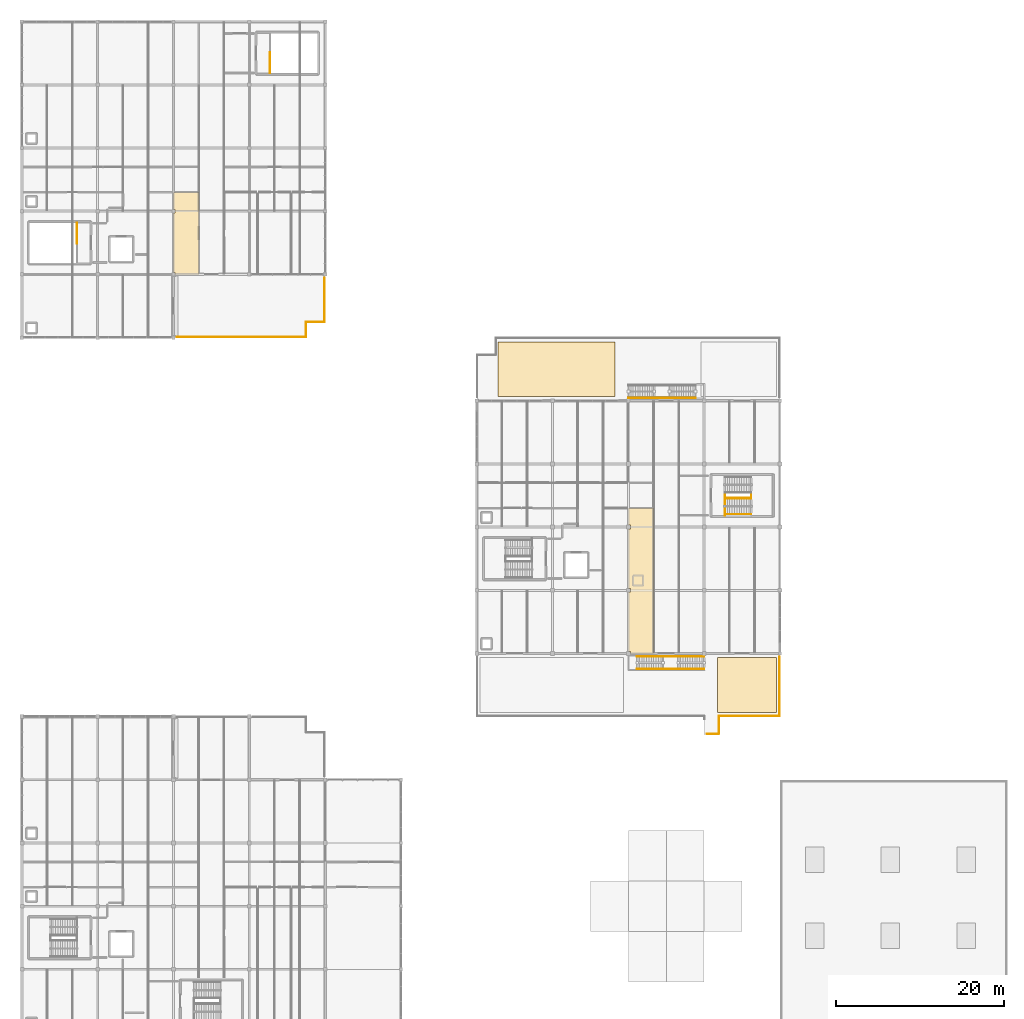
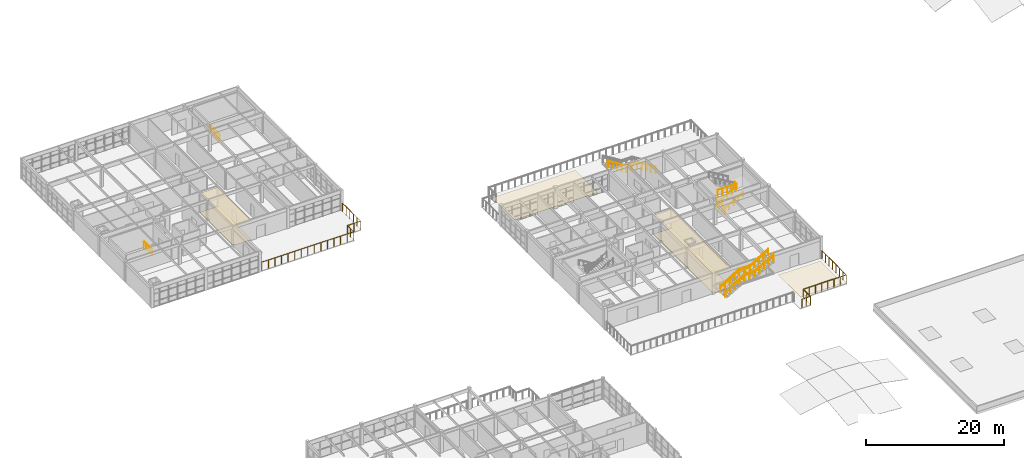
# One storey, part 44 of 45: 13 railings, 6 coverings.
"""IFC4 building model written with IfcOpenShell, lengths in metres."""

from ifc_helpers import new_model, si_unit, direction, frame, origin, origin_2d, place, context, subcontext, project, spatial, polyline, circle, outline, extrude, material, layer, layer_set, type_object, element, save


model = new_model("IFC4")

# Units and contexts
model_context = context("Model", 3, precision=1e-05, world=origin(), true_north=direction((0.0, 1.0)))
body_context = subcontext(model_context, "Body", "Model", "MODEL_VIEW")
ifc_project = project(units=[si_unit("LENGTHUNIT", "METRE"), si_unit("AREAUNIT", "SQUARE_METRE"), si_unit("VOLUMEUNIT", "CUBIC_METRE"), si_unit("PLANEANGLEUNIT", "RADIAN"), si_unit("MASSUNIT", "GRAM", prefix="KILO")], contexts=[model_context])

# Site, building, storey
site_placement = place(None, origin())
site = spatial("IfcSite", under=ifc_project, at=site_placement, CompositionType="ELEMENT")
building_placement = place(site_placement, origin())
building = spatial("IfcBuilding", under=site, at=building_placement, Name="Marnridge Secondary College", CompositionType="ELEMENT")
storey_placement = place(building_placement, frame((0.0, 0.0, 12.300048828125)))
storey = spatial("IfcBuildingStorey", under=building, at=storey_placement, Name="L03", CompositionType="ELEMENT", Elevation=12.300048828125)

# Coverings
ifc_material_1 = material(Name="Perforated acoustic mineral-fibre ceiling tile", Category="gypsum")
ifc_layer_1 = layer(ifc_material_1, 0.02490234375)
ifc_layer_set_1 = layer_set([ifc_layer_1], Name="CV-CEIL-AC")
covering_type_1 = type_object("IfcCoveringType", Name="CV-CEIL-AC", PredefinedType="CEILING", material=ifc_layer_set_1)
covering_1_placement = place(storey_placement, frame((0.0, 0.0, 3.300048828125)))
element("IfcCovering", 1, at=covering_1_placement, inside=storey, type_object=covering_type_1, Name="Acoustic ceiling CVC-004", PredefinedType="CEILING", context=body_context, shape_type="SweptSolid", body=[
    extrude(outline(polyline([(72.001953125, 45.22509765625), (72.001953125, 52.27490234375), (72.22509765625, 52.27490234375), (72.22509765625, 52.72509765625), (72.001953125, 52.72509765625), (72.001953125, 59.77490234375), (72.22509765625, 59.77490234375), (72.22509765625, 60.22509765625), (72.001953125, 60.22509765625), (72.001953125, 62.248046875), (74.998046875, 62.248046875), (74.998046875, 45.001953125), (72.22509765625, 45.001953125), (72.22509765625, 45.22509765625), (72.001953125, 45.22509765625)])), origin(), (0.0, 0.0, 1.0), 0.02490234375),
])
covering_2_placement = place(storey_placement, frame((0.0, 0.0, 3.35986328125)))
element("IfcCovering", 2, at=covering_2_placement, inside=storey, type_object=covering_type_1, Name="Acoustic ceiling CVC-005", PredefinedType="CEILING", context=body_context, shape_type="SweptSolid", body=[
    extrude(outline(polyline([(18.199951171875, 90.199951171875), (18.001953125, 90.199951171875), (18.001953125, 97.300048828125), (18.199951171875, 97.300048828125), (18.199951171875, 97.699951171875), (18.001953125, 97.699951171875), (18.001953125, 99.748046875), (20.998046875, 99.748046875), (20.998046875, 90.001953125), (18.199951171875, 90.001953125), (18.199951171875, 90.199951171875)])), origin(), (0.0, 0.0, 1.0), 0.025146484375),
])
ifc_material_2 = material(Name="Charred jarrah acoustic soffit cladding", Category="wood")
ifc_layer_2 = layer(ifc_material_2, 0.034912109375)
ifc_layer_set_2 = layer_set([ifc_layer_2], Name="CV-CLAD-TIM")
covering_type_2 = type_object("IfcCoveringType", Name="CV-CLAD-TIM", PredefinedType="CLADDING", material=ifc_layer_set_2)
covering_3_placement = place(storey_placement, frame((0.0, 0.0, -0.195068359375)))
element("IfcCovering", 3, at=covering_3_placement, inside=storey, type_object=covering_type_2, Name="Timber soffit cladding CVL-02", PredefinedType="CLADDING", context=body_context, shape_type="SweptSolid", body=[
    extrude(outline(polyline([(82.60009765625, 38.0), (89.60009765625, 38.0), (89.60009765625, 44.5), (82.60009765625, 44.5), (82.60009765625, 38.0)])), origin(), (0.0, 0.0, 1.0), 0.034912109375),
])
covering_4_placement = place(storey_placement, frame((0.0, 0.0, -0.195068359375)))
element("IfcCovering", 4, at=covering_4_placement, inside=storey, type_object=covering_type_2, Name="Timber soffit cladding CVL-03", PredefinedType="CLADDING", context=body_context, shape_type="SweptSolid", body=[
    extrude(outline(polyline([(56.5, 75.5), (70.39990234375, 75.5), (70.39990234375, 82.0), (56.5, 82.0), (56.5, 75.5)])), origin(), (0.0, 0.0, 1.0), 0.034912109375),
])
ifc_material_3 = material(Name="Acoustic natural linoleum classroom flooring", Category="wood")
ifc_layer_3 = layer(ifc_material_3, 0.011962890625)
ifc_layer_set_3 = layer_set([ifc_layer_3], Name="CV-FLR-LINO")
covering_type_3 = type_object("IfcCoveringType", Name="CV-FLR-LINO", PredefinedType="FLOORING", material=ifc_layer_set_3)
covering_5_placement = place(storey_placement, origin())
element("IfcCovering", 5, at=covering_5_placement, inside=storey, type_object=covering_type_3, Name="Linoleum flooring CVF-004", PredefinedType="FLOORING", context=body_context, shape_type="SweptSolid", body=[
    extrude(outline(polyline([(72.001953125, 45.22509765625), (72.001953125, 52.27490234375), (72.22509765625, 52.27490234375), (72.22509765625, 52.72509765625), (72.001953125, 52.72509765625), (72.001953125, 59.77490234375), (72.22509765625, 59.77490234375), (72.22509765625, 60.22509765625), (72.001953125, 60.22509765625), (72.001953125, 62.248046875), (74.998046875, 62.248046875), (74.998046875, 45.001953125), (72.22509765625, 45.001953125), (72.22509765625, 45.22509765625), (72.001953125, 45.22509765625)])), origin(), (0.0, 0.0, 1.0), 0.011962890625),
])
covering_6_placement = place(storey_placement, origin())
element("IfcCovering", 6, at=covering_6_placement, inside=storey, type_object=covering_type_3, Name="Linoleum flooring CVF-005", PredefinedType="FLOORING", context=body_context, shape_type="SweptSolid", body=[
    extrude(outline(polyline([(18.199951171875, 90.199951171875), (18.001953125, 90.199951171875), (18.001953125, 97.300048828125), (18.199951171875, 97.300048828125), (18.199951171875, 97.699951171875), (18.001953125, 97.699951171875), (18.001953125, 99.748046875), (20.998046875, 99.748046875), (20.998046875, 90.001953125), (18.199951171875, 90.001953125), (18.199951171875, 90.199951171875)])), origin(), (0.0, 0.0, 1.0), 0.011962890625),
])

# Railings
ifc_material_4 = material(Name="Galvanised steel Grade C350L0 (350 MPa) balustrade", Category="steel")
railing_type_1 = type_object("IfcRailingType", Name="RL-DECK-1500", PredefinedType="BALUSTRADE", material=ifc_material_4)
railing_1_placement = place(storey_placement, frame((35.93994140625, 89.584716796875, 0.0)))
element("IfcRailing", 7, at=railing_1_placement, inside=storey, type_object=railing_type_1, Name="Play deck balustrade GD-006", PredefinedType="BALUSTRADE", context=body_context, shape_type="SweptSolid", body=[
    extrude(circle(Radius=0.02392578125, at=origin_2d()), frame((0.0, 0.0, 1.47607421875), z_axis=(0.0, -1.0, 0.0), x_axis=(1.0, 0.0, 0.0)), (0.0, 0.0, 1.0), 5.224609375),
    extrude(circle(Radius=0.02392578125, at=origin_2d()), frame((0.0, -5.224609375, 1.47607421875), z_axis=(-1.0, 0.0, 0.0), x_axis=(0.0, -1.0, 0.0)), (0.0, 0.0, 1.0), 2.199951171875),
    extrude(circle(Radius=0.02392578125, at=origin_2d()), frame((-2.199951171875, -5.224609375, 1.47607421875), z_axis=(0.0, -1.0, 0.0), x_axis=(1.0, 0.0, 0.0)), (0.0, 0.0, 1.0), 1.800048828125),
    extrude(circle(Radius=0.02392578125, at=origin_2d()), frame((-2.199951171875, -7.024658203125, 1.47607421875), z_axis=(-1.0, 0.0, 0.0), x_axis=(0.0, -1.0, 0.0)), (0.0, 0.0, 1.0), 15.32470703125),
    extrude(circle(Radius=0.02099609375, at=origin_2d()), origin(), (0.0, 0.0, 1.0), 1.451904296875),
    extrude(circle(Radius=0.02099609375, at=origin_2d()), frame((0.0, -1.044921875, 0.0)), (0.0, 0.0, 1.0), 1.451904296875),
    extrude(circle(Radius=0.02099609375, at=origin_2d()), frame((0.0, -2.08984375, 0.0)), (0.0, 0.0, 1.0), 1.451904296875),
    extrude(circle(Radius=0.02099609375, at=origin_2d()), frame((0.0, -3.134765625, 0.0)), (0.0, 0.0, 1.0), 1.451904296875),
    extrude(circle(Radius=0.02099609375, at=origin_2d()), frame((0.0, -4.1796875, 0.0)), (0.0, 0.0, 1.0), 1.451904296875),
    extrude(circle(Radius=0.02099609375, at=origin_2d()), frame((0.0, -5.224609375, 0.0)), (0.0, 0.0, 1.0), 1.451904296875),
    extrude(circle(Radius=0.02099609375, at=origin_2d()), frame((-1.10009765625, -5.224609375, 0.0)), (0.0, 0.0, 1.0), 1.451904296875),
    extrude(circle(Radius=0.02099609375, at=origin_2d()), frame((-2.199951171875, -5.224609375, 0.0)), (0.0, 0.0, 1.0), 1.451904296875),
    extrude(circle(Radius=0.02099609375, at=origin_2d()), frame((-2.199951171875, -6.12451171875, 0.0)), (0.0, 0.0, 1.0), 1.451904296875),
    extrude(circle(Radius=0.02099609375, at=origin_2d()), frame((-2.199951171875, -7.024658203125, 0.0)), (0.0, 0.0, 1.0), 1.451904296875),
    extrude(circle(Radius=0.02099609375, at=origin_2d()), frame((-3.294677734375, -7.024658203125, 0.0)), (0.0, 0.0, 1.0), 1.451904296875),
    extrude(circle(Radius=0.02099609375, at=origin_2d()), frame((-4.38916015625, -7.024658203125, 0.0)), (0.0, 0.0, 1.0), 1.451904296875),
    extrude(circle(Radius=0.02099609375, at=origin_2d()), frame((-5.48388671875, -7.024658203125, 0.0)), (0.0, 0.0, 1.0), 1.451904296875),
    extrude(circle(Radius=0.02099609375, at=origin_2d()), frame((-6.578369140625, -7.024658203125, 0.0)), (0.0, 0.0, 1.0), 1.451904296875),
    extrude(circle(Radius=0.02099609375, at=origin_2d()), frame((-7.673095703125, -7.024658203125, 0.0)), (0.0, 0.0, 1.0), 1.451904296875),
    extrude(circle(Radius=0.02099609375, at=origin_2d()), frame((-8.767578125, -7.024658203125, 0.0)), (0.0, 0.0, 1.0), 1.451904296875),
    extrude(circle(Radius=0.02099609375, at=origin_2d()), frame((-9.8623046875, -7.024658203125, 0.0)), (0.0, 0.0, 1.0), 1.451904296875),
    extrude(circle(Radius=0.02099609375, at=origin_2d()), frame((-10.95703125, -7.024658203125, 0.0)), (0.0, 0.0, 1.0), 1.451904296875),
    extrude(circle(Radius=0.02099609375, at=origin_2d()), frame((-12.051513671875, -7.024658203125, 0.0)), (0.0, 0.0, 1.0), 1.451904296875),
    extrude(circle(Radius=0.02099609375, at=origin_2d()), frame((-13.146240234375, -7.024658203125, 0.0)), (0.0, 0.0, 1.0), 1.451904296875),
    extrude(circle(Radius=0.02099609375, at=origin_2d()), frame((-14.24072265625, -7.024658203125, 0.0)), (0.0, 0.0, 1.0), 1.451904296875),
    extrude(circle(Radius=0.02099609375, at=origin_2d()), frame((-15.33544921875, -7.024658203125, 0.0)), (0.0, 0.0, 1.0), 1.451904296875),
    extrude(circle(Radius=0.02099609375, at=origin_2d()), frame((-16.429931640625, -7.024658203125, 0.0)), (0.0, 0.0, 1.0), 1.451904296875),
    extrude(circle(Radius=0.02099609375, at=origin_2d()), frame((-17.524658203125, -7.024658203125, 0.0)), (0.0, 0.0, 1.0), 1.451904296875),
])
railing_2_placement = place(storey_placement, frame((89.93994140625, 44.584716796875, 0.0)))
element("IfcRailing", 8, at=railing_2_placement, inside=storey, type_object=railing_type_1, Name="Play deck balustrade GD-010", PredefinedType="BALUSTRADE", context=body_context, shape_type="SweptSolid", body=[
    extrude(circle(Radius=0.02392578125, at=origin_2d()), frame((0.0, 0.0, 1.47607421875), z_axis=(0.0, -1.0, 0.0), x_axis=(1.0, 0.0, 0.0)), (0.0, 0.0, 1.0), 7.024658203125),
    extrude(circle(Radius=0.02392578125, at=origin_2d()), frame((0.0, -7.024658203125, 1.47607421875), z_axis=(-1.0, 0.0, 0.0), x_axis=(0.0, -1.0, 0.0)), (0.0, 0.0, 1.0), 7.199951171875),
    extrude(circle(Radius=0.02392578125, at=origin_2d()), frame((-7.199951171875, -7.024658203125, 1.47607421875), z_axis=(0.0, -1.0, 0.0), x_axis=(1.0, 0.0, 0.0)), (0.0, 0.0, 1.0), 2.10009765625),
    extrude(circle(Radius=0.02392578125, at=origin_2d()), frame((-7.199951171875, -9.124755859375, 1.47607421875), z_axis=(-1.0, 0.0, 0.0), x_axis=(0.0, -1.0, 0.0)), (0.0, 0.0, 1.0), 1.389892578125),
    extrude(circle(Radius=0.02099609375, at=origin_2d()), origin(), (0.0, 0.0, 1.0), 1.451904296875),
    extrude(circle(Radius=0.02099609375, at=origin_2d()), frame((0.0, -1.00341796875, 0.0)), (0.0, 0.0, 1.0), 1.451904296875),
    extrude(circle(Radius=0.02099609375, at=origin_2d()), frame((0.0, -2.007080078125, 0.0)), (0.0, 0.0, 1.0), 1.451904296875),
    extrude(circle(Radius=0.02099609375, at=origin_2d()), frame((0.0, -3.010498046875, 0.0)), (0.0, 0.0, 1.0), 1.451904296875),
    extrude(circle(Radius=0.02099609375, at=origin_2d()), frame((0.0, -4.01416015625, 0.0)), (0.0, 0.0, 1.0), 1.451904296875),
    extrude(circle(Radius=0.02099609375, at=origin_2d()), frame((0.0, -5.017578125, 0.0)), (0.0, 0.0, 1.0), 1.451904296875),
    extrude(circle(Radius=0.02099609375, at=origin_2d()), frame((0.0, -6.021240234375, 0.0)), (0.0, 0.0, 1.0), 1.451904296875),
    extrude(circle(Radius=0.02099609375, at=origin_2d()), frame((0.0, -7.024658203125, 0.0)), (0.0, 0.0, 1.0), 1.451904296875),
    extrude(circle(Radius=0.02099609375, at=origin_2d()), frame((-1.028564453125, -7.024658203125, 0.0)), (0.0, 0.0, 1.0), 1.451904296875),
    extrude(circle(Radius=0.02099609375, at=origin_2d()), frame((-2.05712890625, -7.024658203125, 0.0)), (0.0, 0.0, 1.0), 1.451904296875),
    extrude(circle(Radius=0.02099609375, at=origin_2d()), frame((-3.085693359375, -7.024658203125, 0.0)), (0.0, 0.0, 1.0), 1.451904296875),
    extrude(circle(Radius=0.02099609375, at=origin_2d()), frame((-4.1142578125, -7.024658203125, 0.0)), (0.0, 0.0, 1.0), 1.451904296875),
    extrude(circle(Radius=0.02099609375, at=origin_2d()), frame((-5.142822265625, -7.024658203125, 0.0)), (0.0, 0.0, 1.0), 1.451904296875),
    extrude(circle(Radius=0.02099609375, at=origin_2d()), frame((-6.17138671875, -7.024658203125, 0.0)), (0.0, 0.0, 1.0), 1.451904296875),
    extrude(circle(Radius=0.02099609375, at=origin_2d()), frame((-7.199951171875, -7.024658203125, 0.0)), (0.0, 0.0, 1.0), 1.451904296875),
    extrude(circle(Radius=0.02099609375, at=origin_2d()), frame((-7.199951171875, -8.07470703125, 0.0)), (0.0, 0.0, 1.0), 1.451904296875),
    extrude(circle(Radius=0.02099609375, at=origin_2d()), frame((-7.199951171875, -9.124755859375, 0.0)), (0.0, 0.0, 1.0), 1.451904296875),
    extrude(circle(Radius=0.02099609375, at=origin_2d()), frame((-7.89501953125, -9.124755859375, 0.0)), (0.0, 0.0, 1.0), 1.451904296875),
    extrude(circle(Radius=0.02099609375, at=origin_2d()), frame((-8.58984375, -9.124755859375, 0.0)), (0.0, 0.0, 1.0), 1.451904296875),
])
ifc_material_5 = material(Name="Stainless steel Grade 350 (350 MPa) 48 mm handrail", Category="steel")
railing_type_2 = type_object("IfcRailingType", Name="RL-HND-900", PredefinedType="HANDRAIL", material=ifc_material_5)
for number, where, name in (
    (9, (83.449951171875, 61.530029296875, 0.0), "Stair handrail HR-049"),
    (10, (83.449951171875, 63.409912109375, 0.0), "Stair handrail HR-050"),
):
    element("IfcRailing", number, at=place(storey_placement, frame(where)), inside=storey, type_object=railing_type_2, Name=name, PredefinedType="HANDRAIL", context=body_context, shape_type="SweptSolid", body=[
        extrude(circle(Radius=0.02392578125, at=origin_2d()), frame((0.0, 0.0, 0.8759765625), z_axis=(0.855210355142, 0.0, 0.518281051609), x_axis=(0.0, 1.0, 0.0)), (0.0, 0.0, 1.0), 3.665771484375),
        extrude(circle(Radius=0.02099609375, at=origin_2d()), origin(), (0.0, 0.0, 1.0), 0.851806640625),
        extrude(circle(Radius=0.02099609375, at=origin_2d()), frame((0.78369140625, 0.0, 0.47509765625)), (0.0, 0.0, 1.0), 0.851806640625),
        extrude(circle(Radius=0.02099609375, at=origin_2d()), frame((1.5673828125, 0.0, 0.949951171875)), (0.0, 0.0, 1.0), 0.851806640625),
        extrude(circle(Radius=0.02099609375, at=origin_2d()), frame((2.351318359375, 0.0, 1.4248046875)), (0.0, 0.0, 1.0), 0.851806640625),
        extrude(circle(Radius=0.02099609375, at=origin_2d()), frame((3.135009765625, 0.0, 1.89990234375)), (0.0, 0.0, 1.0), 0.851806640625),
    ])
ifc_material_6 = material(Name="Galvanised steel Grade 350 (350 MPa) 48 mm handrail", Category="steel")
railing_type_3 = type_object("IfcRailingType", Name="RL-HND-EXT900", PredefinedType="HANDRAIL", material=ifc_material_6)
railing_3_placement = place(storey_placement, frame((73.0400390625, 43.18994140625, 0.0)))
element("IfcRailing", 11, at=railing_3_placement, inside=storey, type_object=railing_type_3, Name="Exterior stair handrail HR-191", PredefinedType="HANDRAIL", context=body_context, shape_type="SweptSolid", body=[
    extrude(circle(Radius=0.02392578125, at=origin_2d()), frame((0.0, 0.0, 0.8759765625), z_axis=(0.851106564228, 0.0, 0.524992967884), x_axis=(0.0, 1.0, 0.0)), (0.0, 0.0, 1.0), 3.618896484375),
    extrude(circle(Radius=0.02392578125, at=origin_2d()), frame((3.080078125, 0.0, 2.77587890625), z_axis=(1.0, 0.0, 0.0), x_axis=(0.0, 1.0, 0.0)), (0.0, 0.0, 1.0), 1.7998046875),
    extrude(circle(Radius=0.02392578125, at=origin_2d()), frame((4.8798828125, 0.0, 2.77587890625), z_axis=(0.851076419976, 0.0, 0.525041833915), x_axis=(0.0, 1.0, 0.0)), (0.0, 0.0, 1.0), 3.619140625),
    extrude(circle(Radius=0.02099609375, at=origin_2d()), origin(), (0.0, 0.0, 1.0), 0.851806640625),
    extrude(circle(Radius=0.02099609375, at=origin_2d()), frame((0.77001953125, 0.0, 0.47509765625)), (0.0, 0.0, 1.0), 0.851806640625),
    extrude(circle(Radius=0.02099609375, at=origin_2d()), frame((1.5400390625, 0.0, 0.949951171875)), (0.0, 0.0, 1.0), 0.851806640625),
    extrude(circle(Radius=0.02099609375, at=origin_2d()), frame((2.31005859375, 0.0, 1.4248046875)), (0.0, 0.0, 1.0), 0.851806640625),
    extrude(circle(Radius=0.02099609375, at=origin_2d()), frame((3.080078125, 0.0, 1.89990234375)), (0.0, 0.0, 1.0), 0.851806640625),
    extrude(circle(Radius=0.02099609375, at=origin_2d()), frame((3.97998046875, 0.0, 1.89990234375)), (0.0, 0.0, 1.0), 0.851806640625),
    extrude(circle(Radius=0.02099609375, at=origin_2d()), frame((4.8798828125, 0.0, 1.89990234375)), (0.0, 0.0, 1.0), 0.851806640625),
    extrude(circle(Radius=0.02099609375, at=origin_2d()), frame((5.64990234375, 0.0, 2.375)), (0.0, 0.0, 1.0), 0.851806640625),
    extrude(circle(Radius=0.02099609375, at=origin_2d()), frame((6.419921875, 0.0, 2.85009765625)), (0.0, 0.0, 1.0), 0.851806640625),
    extrude(circle(Radius=0.02099609375, at=origin_2d()), frame((7.18994140625, 0.0, 3.324951171875)), (0.0, 0.0, 1.0), 0.851806640625),
    extrude(circle(Radius=0.02099609375, at=origin_2d()), frame((7.9599609375, 0.0, 3.800048828125)), (0.0, 0.0, 1.0), 0.851806640625),
])
railing_4_placement = place(storey_placement, frame((73.0400390625, 44.610107421875, 0.0)))
element("IfcRailing", 12, at=railing_4_placement, inside=storey, type_object=railing_type_3, Name="Exterior stair handrail HR-192", PredefinedType="HANDRAIL", context=body_context, shape_type="SweptSolid", body=[
    extrude(circle(Radius=0.02392578125, at=origin_2d()), frame((0.0, 0.0, 0.8759765625), z_axis=(0.851106564228, 0.0, 0.524992967884), x_axis=(0.0, 1.0, 0.0)), (0.0, 0.0, 1.0), 3.618896484375),
    extrude(circle(Radius=0.02392578125, at=origin_2d()), frame((3.080078125, 0.0, 2.77587890625), z_axis=(1.0, 0.0, 0.0), x_axis=(0.0, 1.0, 0.0)), (0.0, 0.0, 1.0), 1.7998046875),
    extrude(circle(Radius=0.02392578125, at=origin_2d()), frame((4.8798828125, 0.0, 2.77587890625), z_axis=(0.851076419976, 0.0, 0.525041833915), x_axis=(0.0, 1.0, 0.0)), (0.0, 0.0, 1.0), 3.619140625),
    extrude(circle(Radius=0.02099609375, at=origin_2d()), origin(), (0.0, 0.0, 1.0), 0.851806640625),
    extrude(circle(Radius=0.02099609375, at=origin_2d()), frame((0.77001953125, 0.0, 0.47509765625)), (0.0, 0.0, 1.0), 0.851806640625),
    extrude(circle(Radius=0.02099609375, at=origin_2d()), frame((1.5400390625, 0.0, 0.949951171875)), (0.0, 0.0, 1.0), 0.851806640625),
    extrude(circle(Radius=0.02099609375, at=origin_2d()), frame((2.31005859375, 0.0, 1.4248046875)), (0.0, 0.0, 1.0), 0.851806640625),
    extrude(circle(Radius=0.02099609375, at=origin_2d()), frame((3.080078125, 0.0, 1.89990234375)), (0.0, 0.0, 1.0), 0.851806640625),
    extrude(circle(Radius=0.02099609375, at=origin_2d()), frame((3.97998046875, 0.0, 1.89990234375)), (0.0, 0.0, 1.0), 0.851806640625),
    extrude(circle(Radius=0.02099609375, at=origin_2d()), frame((4.8798828125, 0.0, 1.89990234375)), (0.0, 0.0, 1.0), 0.851806640625),
    extrude(circle(Radius=0.02099609375, at=origin_2d()), frame((5.64990234375, 0.0, 2.375)), (0.0, 0.0, 1.0), 0.851806640625),
    extrude(circle(Radius=0.02099609375, at=origin_2d()), frame((6.419921875, 0.0, 2.85009765625)), (0.0, 0.0, 1.0), 0.851806640625),
    extrude(circle(Radius=0.02099609375, at=origin_2d()), frame((7.18994140625, 0.0, 3.324951171875)), (0.0, 0.0, 1.0), 0.851806640625),
    extrude(circle(Radius=0.02099609375, at=origin_2d()), frame((7.9599609375, 0.0, 3.800048828125)), (0.0, 0.0, 1.0), 0.851806640625),
])
ifc_material_7 = material(Name="Painted steel Grade C350L0 (350 MPa) stair-well guard", Category="steel")
railing_type_4 = type_object("IfcRailingType", Name="RL-STAIR-1150", PredefinedType="BALUSTRADE", material=ifc_material_7)
railing_5_placement = place(storey_placement, frame((83.449951171875, 61.3701171875, 0.0)))
element("IfcRailing", 13, at=railing_5_placement, inside=storey, type_object=railing_type_4, Name="Stair well arrival guard GS-048", PredefinedType="BALUSTRADE", context=body_context, shape_type="SweptSolid", body=[
    extrude(circle(Radius=0.02392578125, at=origin_2d()), frame((0.0, 0.0, 1.1259765625), z_axis=(0.0, 1.0, 0.0), x_axis=(-1.0, 0.0, 0.0)), (0.0, 0.0, 1.0), 2.4599609375),
    extrude(circle(Radius=0.02099609375, at=origin_2d()), origin(), (0.0, 0.0, 1.0), 1.101806640625),
    extrude(circle(Radius=0.02099609375, at=origin_2d()), frame((0.0, 0.820068359375, 0.0)), (0.0, 0.0, 1.0), 1.101806640625),
    extrude(circle(Radius=0.02099609375, at=origin_2d()), frame((0.0, 1.639892578125, 0.0)), (0.0, 0.0, 1.0), 1.101806640625),
    extrude(circle(Radius=0.02099609375, at=origin_2d()), frame((0.0, 2.4599609375, 0.0)), (0.0, 0.0, 1.0), 1.101806640625),
])
railing_6_placement = place(storey_placement, frame((83.449951171875, 63.469970703125, 1.89990234375)))
element("IfcRailing", 14, at=railing_6_placement, inside=storey, type_object=railing_type_4, Name="Stair well slot guard GS-053", PredefinedType="BALUSTRADE", context=body_context, shape_type="SweptSolid", body=[
    extrude(circle(Radius=0.02392578125, at=origin_2d()), frame((0.0, 0.0, 1.1259765625), z_axis=(1.0, 0.0, 0.0), x_axis=(0.0, 1.0, 0.0)), (0.0, 0.0, 1.0), 3.135009765625),
    extrude(circle(Radius=0.02392578125, at=origin_2d()), frame((3.135009765625, 0.0, 1.1259765625), z_axis=(0.0, 1.0, 0.0), x_axis=(-1.0, 0.0, 0.0)), (0.0, 0.0, 1.0), 0.56005859375),
    extrude(circle(Radius=0.02099609375, at=origin_2d()), origin(), (0.0, 0.0, 1.0), 1.101806640625),
    extrude(circle(Radius=0.02099609375, at=origin_2d()), frame((0.78369140625, 0.0, 0.0)), (0.0, 0.0, 1.0), 1.101806640625),
    extrude(circle(Radius=0.02099609375, at=origin_2d()), frame((1.5673828125, 0.0, 0.0)), (0.0, 0.0, 1.0), 1.101806640625),
    extrude(circle(Radius=0.02099609375, at=origin_2d()), frame((2.351318359375, 0.0, 0.0)), (0.0, 0.0, 1.0), 1.101806640625),
    extrude(circle(Radius=0.02099609375, at=origin_2d()), frame((3.135009765625, 0.0, 0.0)), (0.0, 0.0, 1.0), 1.101806640625),
    extrude(circle(Radius=0.02099609375, at=origin_2d()), frame((3.135009765625, 0.56005859375, 0.0)), (0.0, 0.0, 1.0), 1.101806640625),
])
railing_7_placement = place(storey_placement, frame((6.550048828125, 96.1298828125, 0.0)))
element("IfcRailing", 15, at=railing_7_placement, inside=storey, type_object=railing_type_4, Name="Stair well arrival guard GS-126", PredefinedType="BALUSTRADE", context=body_context, shape_type="SweptSolid", body=[
    extrude(circle(Radius=0.02392578125, at=origin_2d()), frame((0.0, 0.0, 1.1259765625), z_axis=(0.0, -1.0, 0.0), x_axis=(1.0, 0.0, 0.0)), (0.0, 0.0, 1.0), 2.4599609375),
    extrude(circle(Radius=0.02099609375, at=origin_2d()), origin(), (0.0, 0.0, 1.0), 1.101806640625),
    extrude(circle(Radius=0.02099609375, at=origin_2d()), frame((0.0, -0.820068359375, 0.0)), (0.0, 0.0, 1.0), 1.101806640625),
    extrude(circle(Radius=0.02099609375, at=origin_2d()), frame((0.0, -1.639892578125, 0.0)), (0.0, 0.0, 1.0), 1.101806640625),
    extrude(circle(Radius=0.02099609375, at=origin_2d()), frame((0.0, -2.4599609375, 0.0)), (0.0, 0.0, 1.0), 1.101806640625),
])
railing_8_placement = place(storey_placement, frame((29.449951171875, 113.8701171875, 0.0)))
element("IfcRailing", 16, at=railing_8_placement, inside=storey, type_object=railing_type_4, Name="Stair well arrival guard GS-144", PredefinedType="BALUSTRADE", context=body_context, shape_type="SweptSolid", body=[
    extrude(circle(Radius=0.02392578125, at=origin_2d()), frame((0.0, 0.0, 1.1259765625), z_axis=(0.0, 1.0, 0.0), x_axis=(-1.0, 0.0, 0.0)), (0.0, 0.0, 1.0), 2.4599609375),
    extrude(circle(Radius=0.02099609375, at=origin_2d()), origin(), (0.0, 0.0, 1.0), 1.101806640625),
    extrude(circle(Radius=0.02099609375, at=origin_2d()), frame((0.0, 0.820068359375, 0.0)), (0.0, 0.0, 1.0), 1.101806640625),
    extrude(circle(Radius=0.02099609375, at=origin_2d()), frame((0.0, 1.639892578125, 0.0)), (0.0, 0.0, 1.0), 1.101806640625),
    extrude(circle(Radius=0.02099609375, at=origin_2d()), frame((0.0, 2.4599609375, 0.0)), (0.0, 0.0, 1.0), 1.101806640625),
])
ifc_material_8 = material(Name="Galvanised steel Grade C350L0 (350 MPa) exterior stair balustrade", Category="steel")
railing_type_5 = type_object("IfcRailingType", Name="RL-STAIR-EXT1150", PredefinedType="BALUSTRADE", material=ifc_material_8)
railing_9_placement = place(storey_placement, frame((79.9599609375, 75.340087890625, 0.0)))
element("IfcRailing", 17, at=railing_9_placement, inside=storey, type_object=railing_type_5, Name="Exterior stair guard GS-185", PredefinedType="BALUSTRADE", context=body_context, shape_type="SweptSolid", body=[
    extrude(circle(Radius=0.02392578125, at=origin_2d()), frame((0.0, 0.0, 1.1259765625), z_axis=(-0.851106564228, 0.0, 0.524992967884), x_axis=(0.0, -1.0, 0.0)), (0.0, 0.0, 1.0), 3.618896484375),
    extrude(circle(Radius=0.02392578125, at=origin_2d()), frame((-3.080078125, 0.0, 3.02587890625), z_axis=(-1.0, 0.0, 0.0), x_axis=(0.0, -1.0, 0.0)), (0.0, 0.0, 1.0), 1.7998046875),
    extrude(circle(Radius=0.02392578125, at=origin_2d()), frame((-4.8798828125, 0.0, 3.02587890625), z_axis=(-0.851076419976, 0.0, 0.525041833915), x_axis=(0.0, -1.0, 0.0)), (0.0, 0.0, 1.0), 3.619140625),
    extrude(circle(Radius=0.02099609375, at=origin_2d()), origin(), (0.0, 0.0, 1.0), 1.101806640625),
    extrude(circle(Radius=0.02099609375, at=origin_2d()), frame((-0.77001953125, 0.0, 0.47509765625)), (0.0, 0.0, 1.0), 1.101806640625),
    extrude(circle(Radius=0.02099609375, at=origin_2d()), frame((-1.5400390625, 0.0, 0.949951171875)), (0.0, 0.0, 1.0), 1.101806640625),
    extrude(circle(Radius=0.02099609375, at=origin_2d()), frame((-2.31005859375, 0.0, 1.4248046875)), (0.0, 0.0, 1.0), 1.101806640625),
    extrude(circle(Radius=0.02099609375, at=origin_2d()), frame((-3.080078125, 0.0, 1.89990234375)), (0.0, 0.0, 1.0), 1.101806640625),
    extrude(circle(Radius=0.02099609375, at=origin_2d()), frame((-3.97998046875, 0.0, 1.89990234375)), (0.0, 0.0, 1.0), 1.101806640625),
    extrude(circle(Radius=0.02099609375, at=origin_2d()), frame((-4.8798828125, 0.0, 1.89990234375)), (0.0, 0.0, 1.0), 1.101806640625),
    extrude(circle(Radius=0.02099609375, at=origin_2d()), frame((-5.64990234375, 0.0, 2.375)), (0.0, 0.0, 1.0), 1.101806640625),
    extrude(circle(Radius=0.02099609375, at=origin_2d()), frame((-6.419921875, 0.0, 2.85009765625)), (0.0, 0.0, 1.0), 1.101806640625),
    extrude(circle(Radius=0.02099609375, at=origin_2d()), frame((-7.18994140625, 0.0, 3.324951171875)), (0.0, 0.0, 1.0), 1.101806640625),
    extrude(circle(Radius=0.02099609375, at=origin_2d()), frame((-7.9599609375, 0.0, 3.800048828125)), (0.0, 0.0, 1.0), 1.101806640625),
])
railing_10_placement = place(storey_placement, frame((73.0400390625, 43.139892578125, 0.0)))
element("IfcRailing", 18, at=railing_10_placement, inside=storey, type_object=railing_type_5, Name="Exterior stair guard GS-189", PredefinedType="BALUSTRADE", context=body_context, shape_type="SweptSolid", body=[
    extrude(circle(Radius=0.02392578125, at=origin_2d()), frame((0.0, 0.0, 1.1259765625), z_axis=(0.851106564228, 0.0, 0.524992967884), x_axis=(0.0, 1.0, 0.0)), (0.0, 0.0, 1.0), 3.618896484375),
    extrude(circle(Radius=0.02392578125, at=origin_2d()), frame((3.080078125, 0.0, 3.02587890625), z_axis=(1.0, 0.0, 0.0), x_axis=(0.0, 1.0, 0.0)), (0.0, 0.0, 1.0), 1.7998046875),
    extrude(circle(Radius=0.02392578125, at=origin_2d()), frame((4.8798828125, 0.0, 3.02587890625), z_axis=(0.851076419976, 0.0, 0.525041833915), x_axis=(0.0, 1.0, 0.0)), (0.0, 0.0, 1.0), 3.619140625),
    extrude(circle(Radius=0.02099609375, at=origin_2d()), origin(), (0.0, 0.0, 1.0), 1.101806640625),
    extrude(circle(Radius=0.02099609375, at=origin_2d()), frame((0.77001953125, 0.0, 0.47509765625)), (0.0, 0.0, 1.0), 1.101806640625),
    extrude(circle(Radius=0.02099609375, at=origin_2d()), frame((1.5400390625, 0.0, 0.949951171875)), (0.0, 0.0, 1.0), 1.101806640625),
    extrude(circle(Radius=0.02099609375, at=origin_2d()), frame((2.31005859375, 0.0, 1.4248046875)), (0.0, 0.0, 1.0), 1.101806640625),
    extrude(circle(Radius=0.02099609375, at=origin_2d()), frame((3.080078125, 0.0, 1.89990234375)), (0.0, 0.0, 1.0), 1.101806640625),
    extrude(circle(Radius=0.02099609375, at=origin_2d()), frame((3.97998046875, 0.0, 1.89990234375)), (0.0, 0.0, 1.0), 1.101806640625),
    extrude(circle(Radius=0.02099609375, at=origin_2d()), frame((4.8798828125, 0.0, 1.89990234375)), (0.0, 0.0, 1.0), 1.101806640625),
    extrude(circle(Radius=0.02099609375, at=origin_2d()), frame((5.64990234375, 0.0, 2.375)), (0.0, 0.0, 1.0), 1.101806640625),
    extrude(circle(Radius=0.02099609375, at=origin_2d()), frame((6.419921875, 0.0, 2.85009765625)), (0.0, 0.0, 1.0), 1.101806640625),
    extrude(circle(Radius=0.02099609375, at=origin_2d()), frame((7.18994140625, 0.0, 3.324951171875)), (0.0, 0.0, 1.0), 1.101806640625),
    extrude(circle(Radius=0.02099609375, at=origin_2d()), frame((7.9599609375, 0.0, 3.800048828125)), (0.0, 0.0, 1.0), 1.101806640625),
])
railing_11_placement = place(storey_placement, frame((73.0400390625, 44.659912109375, 0.0)))
element("IfcRailing", 19, at=railing_11_placement, inside=storey, type_object=railing_type_5, Name="Exterior stair guard GS-190", PredefinedType="BALUSTRADE", context=body_context, shape_type="SweptSolid", body=[
    extrude(circle(Radius=0.02392578125, at=origin_2d()), frame((0.0, 0.0, 1.1259765625), z_axis=(0.851106564228, 0.0, 0.524992967884), x_axis=(0.0, 1.0, 0.0)), (0.0, 0.0, 1.0), 3.618896484375),
    extrude(circle(Radius=0.02392578125, at=origin_2d()), frame((3.080078125, 0.0, 3.02587890625), z_axis=(1.0, 0.0, 0.0), x_axis=(0.0, 1.0, 0.0)), (0.0, 0.0, 1.0), 1.7998046875),
    extrude(circle(Radius=0.02392578125, at=origin_2d()), frame((4.8798828125, 0.0, 3.02587890625), z_axis=(0.851076419976, 0.0, 0.525041833915), x_axis=(0.0, 1.0, 0.0)), (0.0, 0.0, 1.0), 3.619140625),
    extrude(circle(Radius=0.02099609375, at=origin_2d()), origin(), (0.0, 0.0, 1.0), 1.101806640625),
    extrude(circle(Radius=0.02099609375, at=origin_2d()), frame((0.77001953125, 0.0, 0.47509765625)), (0.0, 0.0, 1.0), 1.101806640625),
    extrude(circle(Radius=0.02099609375, at=origin_2d()), frame((1.5400390625, 0.0, 0.949951171875)), (0.0, 0.0, 1.0), 1.101806640625),
    extrude(circle(Radius=0.02099609375, at=origin_2d()), frame((2.31005859375, 0.0, 1.4248046875)), (0.0, 0.0, 1.0), 1.101806640625),
    extrude(circle(Radius=0.02099609375, at=origin_2d()), frame((3.080078125, 0.0, 1.89990234375)), (0.0, 0.0, 1.0), 1.101806640625),
    extrude(circle(Radius=0.02099609375, at=origin_2d()), frame((3.97998046875, 0.0, 1.89990234375)), (0.0, 0.0, 1.0), 1.101806640625),
    extrude(circle(Radius=0.02099609375, at=origin_2d()), frame((4.8798828125, 0.0, 1.89990234375)), (0.0, 0.0, 1.0), 1.101806640625),
    extrude(circle(Radius=0.02099609375, at=origin_2d()), frame((5.64990234375, 0.0, 2.375)), (0.0, 0.0, 1.0), 1.101806640625),
    extrude(circle(Radius=0.02099609375, at=origin_2d()), frame((6.419921875, 0.0, 2.85009765625)), (0.0, 0.0, 1.0), 1.101806640625),
    extrude(circle(Radius=0.02099609375, at=origin_2d()), frame((7.18994140625, 0.0, 3.324951171875)), (0.0, 0.0, 1.0), 1.101806640625),
    extrude(circle(Radius=0.02099609375, at=origin_2d()), frame((7.9599609375, 0.0, 3.800048828125)), (0.0, 0.0, 1.0), 1.101806640625),
])

save(model, "model.ifc")
